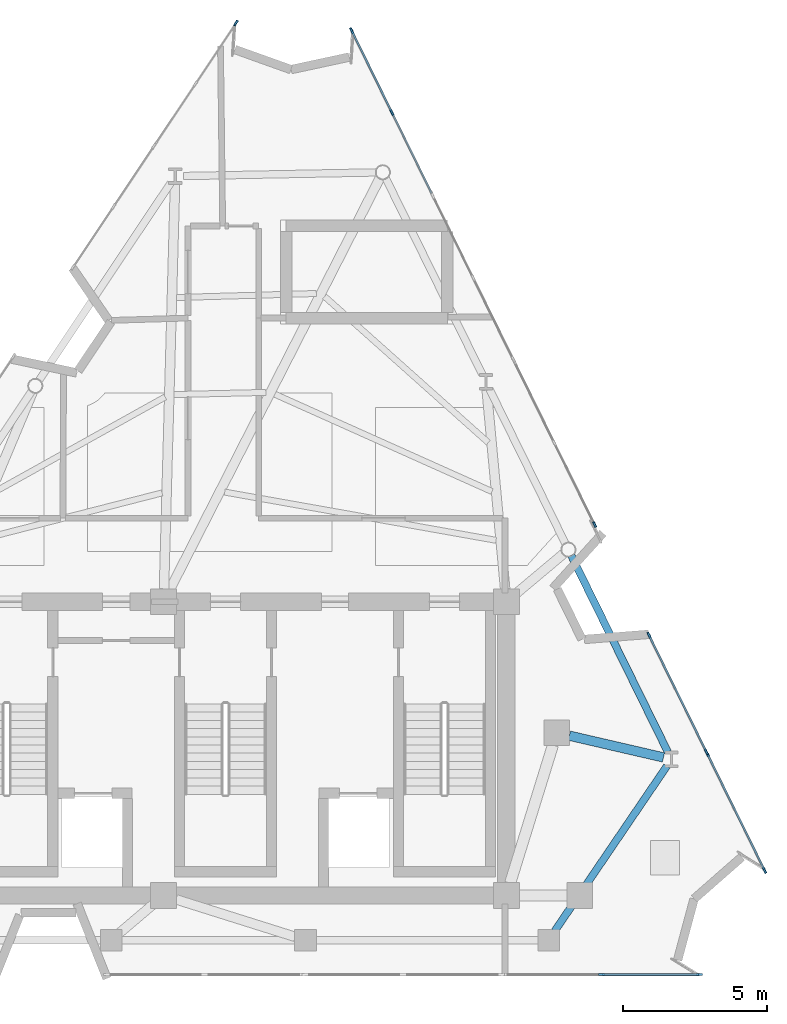
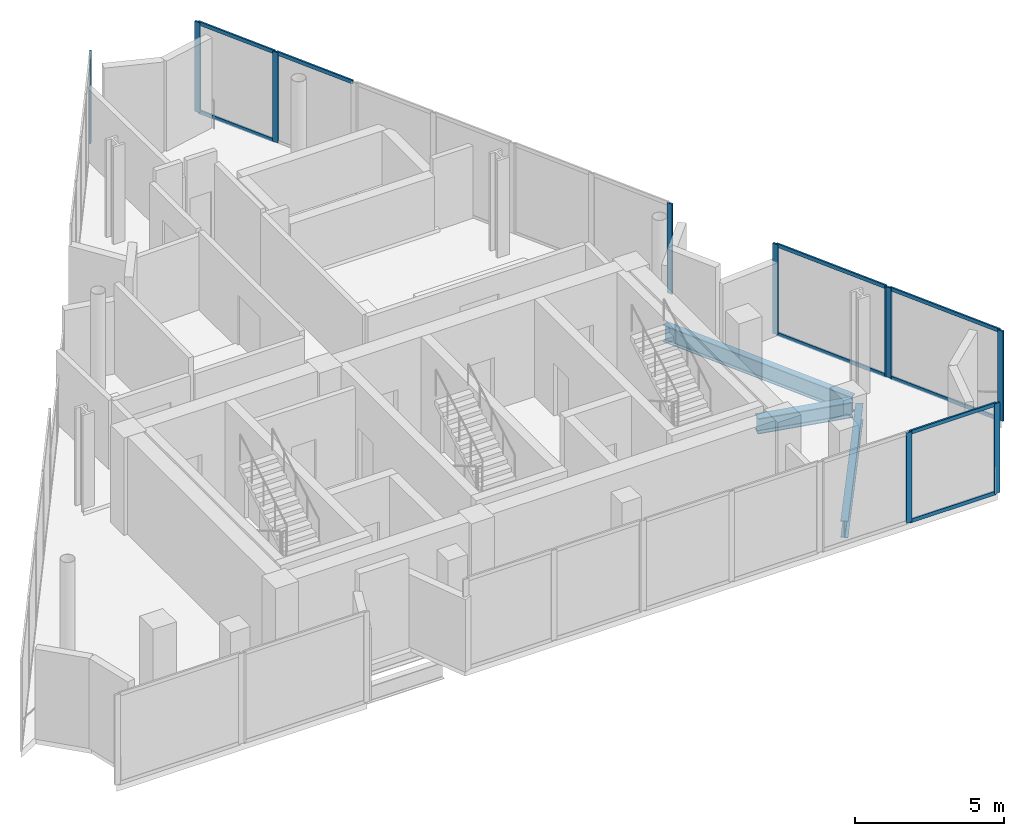
# One storey, part 4 of 9: 19 members, 3 beams, 6 elements without a shape of their own.
"""IFC4 building model written with IfcOpenShell, lengths in metres."""

import ifcopenshell
import ifcopenshell.guid

model = None  # the IFC model being written
_history = None  # IfcOwnerHistory: only IFC2X3 demands one
_inside = {}  # id of a spatial element -> (the spatial element, [elements in it])
_under = {}  # id of a project, library or spatial element -> (it, [spatial elements below it])
_declared = {}  # id of a project -> (the project, [libraries it declares])
_typed = {}  # id of a type object -> (the type object, [elements of that type])
_made_of = {}  # id of a material, layer set ... -> (it, [elements and type objects made of it])


def new_model(schema):
    """Start an empty IFC model of exactly this schema.

    Asked for "IFC4X3", IfcOpenShell would pick the latest addendum, in which some entities
    have other attributes; the version numbers below select the first issue.
    IFC2X3 requires an IfcOwnerHistory on every rooted entity: one is made here for all.
    """
    global model, _history
    if schema == "IFC4X3":
        model = ifcopenshell.file(schema_version=(4, 3, 0, 0))
    else:
        model = ifcopenshell.file(schema=schema)
    _inside.clear()
    _under.clear()
    _declared.clear()
    _typed.clear()
    _made_of.clear()
    _history = None
    if model.schema == "IFC2X3":
        org = make("IfcOrganization", Name="unknown")
        user = make(
            "IfcPersonAndOrganization",
            ThePerson=make("IfcPerson", FamilyName="unknown"),
            TheOrganization=org,
        )
        app = make(
            "IfcApplication",
            ApplicationDeveloper=org,
            Version="unknown",
            ApplicationFullName="unknown",
            ApplicationIdentifier="unknown",
        )
        _history = make(
            "IfcOwnerHistory",
            OwningUser=user,
            OwningApplication=app,
            ChangeAction="ADDED",
            CreationDate=0,
        )
    return model


def make(cls, **values):
    """One entity of the class cls with the attributes given. An attribute that is None is left unset."""
    return model.create_entity(
        cls, **{name: value for name, value in values.items() if value is not None}
    )


def rooted(cls, **values):
    """An entity with a GlobalId (a new one), such as an element, a storey or a relation."""
    return make(cls, GlobalId=ifcopenshell.guid.new(), OwnerHistory=_history, **values)


def si_unit(unit_type, name, prefix=None):
    """IfcSIUnit, for example si_unit("LENGTHUNIT", "METRE", prefix="MILLI")."""
    return make("IfcSIUnit", UnitType=unit_type, Prefix=prefix, Name=name)


def assignment(units):
    """IfcUnitAssignment: the units of a project."""
    return None if units is None else make("IfcUnitAssignment", Units=units)


def point(xyz):
    """IfcCartesianPoint."""
    return None if xyz is None else make("IfcCartesianPoint", Coordinates=xyz)


def direction(xyz):
    """IfcDirection."""
    return None if xyz is None else make("IfcDirection", DirectionRatios=xyz)


def frame(location, z_axis=None, x_axis=None):
    """IfcAxis2Placement3D, a coordinate frame: its origin and axes. An axis left out is left unset."""
    return make(
        "IfcAxis2Placement3D",
        Location=point(location),
        Axis=direction(z_axis),
        RefDirection=direction(x_axis),
    )


def frame_2d(location, x_axis=None):
    """IfcAxis2Placement2D, a coordinate frame in the plane: its origin and x axis."""
    return make(
        "IfcAxis2Placement2D", Location=point(location), RefDirection=direction(x_axis)
    )


def origin():
    """The frame at (0, 0, 0) with its axes left unset."""
    return frame((0.0, 0.0, 0.0))


def origin_2d():
    """The frame at (0, 0) in the plane with its x axis left unset."""
    return frame_2d((0.0, 0.0))


def place(relative_to, where):
    """IfcLocalPlacement: puts the frame where relative to a parent placement (None: the world)."""
    return make(
        "IfcLocalPlacement", PlacementRelTo=relative_to, RelativePlacement=where
    )


def context(
    kind, dimensions, precision=None, world=None, true_north=None, identifier=None
):
    """IfcGeometricRepresentationContext, for example the 3D "Model" context."""
    return make(
        "IfcGeometricRepresentationContext",
        ContextIdentifier=identifier,
        ContextType=kind,
        CoordinateSpaceDimension=dimensions,
        Precision=precision,
        WorldCoordinateSystem=world,
        TrueNorth=true_north,
    )


def subcontext(parent, identifier, kind, view, scale=None):
    """IfcGeometricRepresentationSubContext, for example "Body" below "Model"."""
    return make(
        "IfcGeometricRepresentationSubContext",
        ContextIdentifier=identifier,
        ContextType=kind,
        ParentContext=parent,
        TargetScale=scale,
        TargetView=view,
    )


def project(units=None, contexts=None):
    """IfcProject with its units and contexts."""
    return rooted(
        "IfcProject",
        Name="project",
        RepresentationContexts=contexts,
        UnitsInContext=assignment(units),
    )


def spatial(cls, under=None, at=None, **own):
    """A site, building, storey or space (cls), placed at a placement, below another one or the project."""
    s = rooted(cls, ObjectPlacement=at, **own)
    if under is not None:
        _under.setdefault(under.id(), (under, []))[1].append(s)
    return s


def profile(cls, at=None, kind="AREA", **sizes):
    """A parametric profile (cls). Its sizes go by their IFC names, for example OverallWidth=200.0."""
    return make(cls, ProfileType=kind, Position=at, **sizes)


def rectangle(**sizes):
    """IfcRectangleProfileDef."""
    return profile("IfcRectangleProfileDef", **sizes)


def i_section(**sizes):
    """IfcIShapeProfileDef."""
    return profile("IfcIShapeProfileDef", **sizes)


def extrude(swept, where, along, depth):
    """IfcExtrudedAreaSolid: the profile swept, set in the frame where, extruded along a direction by depth."""
    return make(
        "IfcExtrudedAreaSolid",
        SweptArea=swept,
        Position=where,
        ExtrudedDirection=direction(along),
        Depth=depth,
    )


def shape(context_of_items, identifier, shape_type, items):
    """IfcShapeRepresentation: the items that make up one representation, for example the "Body"."""
    return make(
        "IfcShapeRepresentation",
        ContextOfItems=context_of_items,
        RepresentationIdentifier=identifier,
        RepresentationType=shape_type,
        Items=items,
    )


def material(Name=None, Category=None):
    """IfcMaterial."""
    return make("IfcMaterial", Name=Name, Category=Category)


def layer(
    of_material, thickness, ventilated=None, Name=None, Category=None, Priority=None
):
    """IfcMaterialLayer: one layer of a wall or slab, of a material (None: an air gap)."""
    return make(
        "IfcMaterialLayer",
        Material=of_material,
        LayerThickness=thickness,
        IsVentilated=ventilated,
        Name=Name,
        Category=Category,
        Priority=Priority,
    )


def layer_set(layers, Name=None):
    """IfcMaterialLayerSet."""
    return make("IfcMaterialLayerSet", MaterialLayers=layers, LayerSetName=Name)


def material_profile(
    of_material, cross_section, Name=None, Category=None, Priority=None
):
    """IfcMaterialProfile: a cross section and its material."""
    return make(
        "IfcMaterialProfile",
        Name=Name,
        Material=of_material,
        Profile=cross_section,
        Priority=Priority,
        Category=Category,
    )


def profile_set(profiles, Name=None, composite=None):
    """IfcMaterialProfileSet."""
    return make(
        "IfcMaterialProfileSet",
        Name=Name,
        MaterialProfiles=profiles,
        CompositeProfile=composite,
    )


def made_of(thing, what):
    """Note that an element or type object is made of a material, layer set ...; save() writes the relation."""
    if what is not None:
        _made_of.setdefault(what.id(), (what, []))[1].append(thing)
    return thing


def type_object(cls, material=None, **own):
    """A type object (cls), such as IfcWallType, which elements share."""
    return made_of(rooted(cls, **own), material)


def element(
    cls,
    number,
    at=None,
    inside=None,
    cuts=None,
    type_object=None,
    material=None,
    context=None,
    identifier="Body",
    shape_type=None,
    held_by="IfcProductDefinitionShape",
    body=None,
    shapes=None,
    **own,
):
    """One element of the class cls, such as IfcWall. Its Tag is "e" and its number.

    at: its placement. inside: the storey or other place that contains it. cuts: it is an
    opening in that element (IfcRelVoidsElement). A single representation is given by context,
    identifier, shape_type and body (its items); several are given by shapes. held_by: the class
    of the entity that holds the representations. save() writes the other relations.
    """
    e = rooted(cls, Tag="e%d" % number, ObjectPlacement=at, **own)
    if body is not None:
        shapes = [shape(context, identifier, shape_type, body)]
    if shapes is not None:
        e.Representation = make(held_by, Representations=shapes)
    if inside is not None:
        _inside.setdefault(inside.id(), (inside, []))[1].append(e)
    if cuts is not None:
        rooted(
            "IfcRelVoidsElement", RelatingBuildingElement=cuts, RelatedOpeningElement=e
        )
    if type_object is not None:
        _typed.setdefault(type_object.id(), (type_object, []))[1].append(e)
    return made_of(e, material)


def aggregate(whole, parts):
    """IfcRelAggregates: a whole, such as a stair, and the parts it consists of."""
    return rooted("IfcRelAggregates", RelatingObject=whole, RelatedObjects=parts)


def save(model, path):
    """Write the relations noted so far, then the file.

    IfcRelAggregates (storeys below a building ...), IfcRelContainedInSpatialStructure (elements
    in a storey), IfcRelDefinesByType, IfcRelAssociatesMaterial and IfcRelDeclares: one each for
    every whole, place, type object, material and project.
    """
    for whole, parts in _under.values():
        aggregate(whole, parts)
    for where, things in _inside.values():
        rooted(
            "IfcRelContainedInSpatialStructure",
            RelatedElements=things,
            RelatingStructure=where,
        )
    for kind, things in _typed.values():
        rooted("IfcRelDefinesByType", RelatedObjects=things, RelatingType=kind)
    for what, things in _made_of.values():
        rooted("IfcRelAssociatesMaterial", RelatedObjects=things, RelatingMaterial=what)
    for by, libraries in _declared.values():
        rooted("IfcRelDeclares", RelatingContext=by, RelatedDefinitions=libraries)
    model.write(path)


model = new_model("IFC4")

# Units and contexts
model_context = context("Model", 3, precision=1e-05, world=origin(), true_north=direction((0.0, 1.0)))
body_context = subcontext(model_context, "Body", "Model", "MODEL_VIEW")
ifc_project = project(units=[si_unit("LENGTHUNIT", "METRE"), si_unit("AREAUNIT", "SQUARE_METRE"), si_unit("VOLUMEUNIT", "CUBIC_METRE"), si_unit("PLANEANGLEUNIT", "RADIAN"), si_unit("MASSUNIT", "GRAM", prefix="KILO")], contexts=[model_context])

# Site, building, storey
site_placement = place(None, origin())
site = spatial("IfcSite", under=ifc_project, at=site_placement, CompositionType="ELEMENT")
building_placement = place(site_placement, origin())
building = spatial("IfcBuilding", under=site, at=building_placement, Name="Almagre Mirador Tower", CompositionType="ELEMENT")
storey_placement = place(building_placement, frame((0.0, 0.0, 310.5)))
storey = spatial("IfcBuildingStorey", under=building, at=storey_placement, Name="L80", CompositionType="ELEMENT", Elevation=310.5)

# Beams
ifc_material_1 = material(Name="Steel ASTM A992 Grade 50", Category="steel")
ifc_material_profile_1 = material_profile(ifc_material_1, i_section(OverallWidth=0.256103515625, OverallDepth=0.693115234375, WebThickness=0.014404296875, FlangeThickness=0.023681640625, FilletRadius=0.02197265625, at=origin_2d()), Name="W27X114")
ifc_profile_set_1 = profile_set([ifc_material_profile_1], Name="Steel ASTM A992 Grade 50")
beam_type_1 = type_object("IfcBeamType", Name="BM-SPN-W27X114", PredefinedType="SPANDREL", material=ifc_profile_set_1)
beam_1_placement = place(storey_placement, frame((48.726806640625, 3.31005859375, -0.646484375), z_axis=(0.562316764755, 0.826921916553, 0.0), x_axis=(-0.826921916553, 0.562316764755, 0.0)))
element("IfcBeam", 1, at=beam_1_placement, inside=storey, type_object=beam_type_1, Name="L80 perimeter spandrel beam PC04-PC05", PredefinedType="SPANDREL", context=body_context, shape_type="SweptSolid", body=[
    extrude(i_section(OverallWidth=0.256103515625, OverallDepth=0.693115234375, WebThickness=0.014404296875, FlangeThickness=0.023681640625, FilletRadius=0.02197265625, at=origin_2d()), origin(), (0.0, 0.0, 1.0), 6.931884765625),
])
beam_2_placement = place(storey_placement, frame((52.6591796875, 9.53369140625, -0.646484375), z_axis=(-0.441286188915, 0.897366424306, 0.0), x_axis=(-0.897366424306, -0.441286188915, 0.0)))
element("IfcBeam", 2, at=beam_2_placement, inside=storey, type_object=beam_type_1, Name="L80 perimeter spandrel beam PC05-PC06", PredefinedType="SPANDREL", context=body_context, shape_type="SweptSolid", body=[
    extrude(i_section(OverallWidth=0.256103515625, OverallDepth=0.693115234375, WebThickness=0.014404296875, FlangeThickness=0.023681640625, FilletRadius=0.02197265625, at=origin_2d()), origin(), (0.0, 0.0, 1.0), 7.607666015625),
])
ifc_material_2 = material(Name="Steel ASTM A992 Grade 50", Category="steel")
ifc_material_profile_2 = material_profile(ifc_material_2, i_section(OverallWidth=0.330078125, OverallDepth=0.635009765625, WebThickness=0.017822265625, FlangeThickness=0.031005859375, FilletRadius=0.02001953125, at=origin_2d()), Name="W24X162")
ifc_profile_set_2 = profile_set([ifc_material_profile_2], Name="Steel ASTM A992 Grade 50")
beam_type_2 = type_object("IfcBeamType", Name="BM-STL-W24X162", PredefinedType="BEAM", material=ifc_profile_set_2)
beam_3_placement = place(storey_placement, frame((52.50732421875, 9.34228515625, -0.617431640625), z_axis=(-0.974263503656, 0.225412123549, 0.0), x_axis=(-0.225412123549, -0.974263503656, 0.0)))
element("IfcBeam", 3, at=beam_3_placement, inside=storey, type_object=beam_type_2, Name="L80 radial floor girder PC05-MC3", PredefinedType="BEAM", context=body_context, shape_type="SweptSolid", body=[
    extrude(i_section(OverallWidth=0.330078125, OverallDepth=0.635009765625, WebThickness=0.017822265625, FlangeThickness=0.031005859375, FilletRadius=0.02001953125, at=origin_2d()), origin(), (0.0, 0.0, 1.0), 3.35546875),
])

# Curtain wall, member
ifc_material_3 = material(Name="Black anodized aluminium", Category="aluminium")
ifc_layer = layer(ifc_material_3, 0.2099609375)
ifc_layer_set = layer_set([ifc_layer], Name="Black anodized aluminium")
curtain_wall_type = type_object("IfcCurtainWallType", Name="CW-CRN-SYS", PredefinedType="NOTDEFINED", material=ifc_layer_set)
curtain_wall_1_placement = place(storey_placement, origin())
curtain_wall_1 = element("IfcCurtainWall", 4, at=curtain_wall_1_placement, inside=storey, type_object=curtain_wall_type, Name="L80 curtain wall run 05", PredefinedType="NOTDEFINED")
ifc_material_4 = material(Name="Black anodized aluminium", Category="aluminium")
ifc_material_profile_3 = material_profile(ifc_material_4, rectangle(XDim=0.070068359375, YDim=0.2099609375, at=origin_2d()), Name="CWM70X210")
ifc_profile_set_3 = profile_set([ifc_material_profile_3], Name="Black anodized aluminium")
member_type_1 = type_object("IfcMemberType", Name="MBR-CWM70X210", PredefinedType="MULLION", material=ifc_profile_set_3)
member_1_placement = place(storey_placement, frame((37.659423828125, 34.84375, 0.0), z_axis=(0.0, 0.0, 1.0), x_axis=(-0.831672217709, 0.555266892846, 0.0)))
member_1 = element("IfcMember", 5, at=member_1_placement, type_object=member_type_1, Name="CW-6 mullion 3", PredefinedType="MULLION", context=body_context, shape_type="SweptSolid", body=[
    extrude(rectangle(XDim=0.070068359375, YDim=0.2099609375, at=origin_2d()), origin(), (0.0, 0.0, 1.0), 3.699951171875),
])
aggregate(curtain_wall_1, [member_1])

# Curtain wall, members
curtain_wall_2_placement = place(storey_placement, origin())
curtain_wall_2 = element("IfcCurtainWall", 6, at=curtain_wall_2_placement, inside=storey, type_object=curtain_wall_type, Name="L80 curtain wall run 06", PredefinedType="NOTDEFINED")
member_2_placement = place(storey_placement, frame((41.6806640625, 34.579345703125, 0.0), z_axis=(0.0, 0.0, 1.0), x_axis=(0.897357785219, 0.441303756281, 0.0)))
member_2 = element("IfcMember", 7, at=member_2_placement, type_object=member_type_1, Name="CW-6 mullion 1", PredefinedType="MULLION", context=body_context, shape_type="SweptSolid", body=[
    extrude(rectangle(XDim=0.070068359375, YDim=0.2099609375, at=origin_2d()), origin(), (0.0, 0.0, 1.0), 3.699951171875),
])
member_3_placement = place(storey_placement, frame((43.07568359375, 31.742431640625, 0.0), z_axis=(0.0, 0.0, 1.0), x_axis=(0.897357785219, 0.441303756281, 0.0)))
member_3 = element("IfcMember", 8, at=member_3_placement, type_object=member_type_1, Name="CW-6 mullion 2", PredefinedType="MULLION", context=body_context, shape_type="SweptSolid", body=[
    extrude(rectangle(XDim=0.070068359375, YDim=0.2099609375, at=origin_2d()), origin(), (0.0, 0.0, 1.0), 3.699951171875),
])

# Curtain wall, member
curtain_wall_3_placement = place(storey_placement, origin())
curtain_wall_3 = element("IfcCurtainWall", 9, at=curtain_wall_3_placement, inside=storey, type_object=curtain_wall_type, Name="L80 curtain wall run 08", PredefinedType="NOTDEFINED")
member_4_placement = place(storey_placement, frame((50.113525390625, 17.431396484375, 0.0), z_axis=(0.0, 0.0, 1.0), x_axis=(0.897357785219, 0.441303756281, 0.0)))
member_4 = element("IfcMember", 10, at=member_4_placement, type_object=member_type_1, Name="CW-6 mullion 3", PredefinedType="MULLION", context=body_context, shape_type="SweptSolid", body=[
    extrude(rectangle(XDim=0.070068359375, YDim=0.2099609375, at=origin_2d()), origin(), (0.0, 0.0, 1.0), 3.699951171875),
])
aggregate(curtain_wall_3, [member_4])

# Curtain wall, members
curtain_wall_4_placement = place(storey_placement, origin())
curtain_wall_4 = element("IfcCurtainWall", 11, at=curtain_wall_4_placement, inside=storey, type_object=curtain_wall_type, Name="L80 curtain wall run 09", PredefinedType="NOTDEFINED")
member_5_placement = place(storey_placement, frame((52.003662109375, 13.58837890625, 0.0), z_axis=(0.0, 0.0, 1.0), x_axis=(0.897394697223, 0.441228690585, 0.0)))
member_5 = element("IfcMember", 12, at=member_5_placement, type_object=member_type_1, Name="CW-6 mullion 1", PredefinedType="MULLION", context=body_context, shape_type="SweptSolid", body=[
    extrude(rectangle(XDim=0.070068359375, YDim=0.2099609375, at=origin_2d()), origin(), (0.0, 0.0, 1.0), 3.699951171875),
])
member_6_placement = place(storey_placement, frame((53.99609375, 9.535888671875, 0.0), z_axis=(0.0, 0.0, 1.0), x_axis=(0.897394697223, 0.441228690585, 0.0)))
member_6 = element("IfcMember", 13, at=member_6_placement, type_object=member_type_1, Name="CW-6 mullion 2", PredefinedType="MULLION", context=body_context, shape_type="SweptSolid", body=[
    extrude(rectangle(XDim=0.070068359375, YDim=0.2099609375, at=origin_2d()), origin(), (0.0, 0.0, 1.0), 3.699951171875),
])

curtain_wall_5_placement = place(storey_placement, origin())
curtain_wall_5 = element("IfcCurtainWall", 14, at=curtain_wall_5_placement, inside=storey, type_object=curtain_wall_type, Name="L80 curtain wall run 10", PredefinedType="NOTDEFINED")
member_7_placement = place(storey_placement, frame((54.02685546875, 9.47314453125, 0.0), z_axis=(0.0, 0.0, 1.0), x_axis=(0.897394697223, 0.441228690585, 0.0)))
member_7 = element("IfcMember", 15, at=member_7_placement, type_object=member_type_1, Name="CW-6 mullion 1", PredefinedType="MULLION", context=body_context, shape_type="SweptSolid", body=[
    extrude(rectangle(XDim=0.070068359375, YDim=0.2099609375, at=origin_2d()), origin(), (0.0, 0.0, 1.0), 3.699951171875),
])
member_8_placement = place(storey_placement, frame((56.01953125, 5.420654296875, 0.0), z_axis=(0.0, 0.0, 1.0), x_axis=(0.897394697223, 0.441228690585, 0.0)))
member_8 = element("IfcMember", 16, at=member_8_placement, type_object=member_type_1, Name="CW-6 mullion 2", PredefinedType="MULLION", context=body_context, shape_type="SweptSolid", body=[
    extrude(rectangle(XDim=0.070068359375, YDim=0.2099609375, at=origin_2d()), origin(), (0.0, 0.0, 1.0), 3.699951171875),
])

curtain_wall_6_placement = place(storey_placement, origin())
curtain_wall_6 = element("IfcCurtainWall", 17, at=curtain_wall_6_placement, inside=storey, type_object=curtain_wall_type, Name="L80 curtain wall run 11", PredefinedType="NOTDEFINED")
member_9_placement = place(storey_placement, frame((53.764892578125, 1.800048828125, 0.0), z_axis=(0.0, 0.0, 1.0), x_axis=(0.0, -1.0, 0.0)))
member_9 = element("IfcMember", 18, at=member_9_placement, type_object=member_type_1, Name="CW-6 mullion 1", PredefinedType="MULLION", context=body_context, shape_type="SweptSolid", body=[
    extrude(rectangle(XDim=0.070068359375, YDim=0.2099609375, at=origin_2d()), origin(), (0.0, 0.0, 1.0), 3.699951171875),
])
member_10_placement = place(storey_placement, frame((50.3544921875, 1.800048828125, 0.0), z_axis=(0.0, 0.0, 1.0), x_axis=(0.0, -1.0, 0.0)))
member_10 = element("IfcMember", 19, at=member_10_placement, type_object=member_type_1, Name="CW-6 mullion 2", PredefinedType="MULLION", context=body_context, shape_type="SweptSolid", body=[
    extrude(rectangle(XDim=0.070068359375, YDim=0.2099609375, at=origin_2d()), origin(), (0.0, 0.0, 1.0), 3.699951171875),
])

# Member
ifc_material_5 = material(Name="Black anodized aluminium", Category="aluminium")
ifc_material_profile_4 = material_profile(ifc_material_5, rectangle(XDim=0.06494140625, YDim=0.14990234375, at=origin_2d()), Name="CWT65X150")
ifc_profile_set_4 = profile_set([ifc_material_profile_4], Name="Black anodized aluminium")
member_type_2 = type_object("IfcMemberType", Name="MBR-CWT65X150", PredefinedType="USERDEFINED", material=ifc_profile_set_4)
member_11_placement = place(storey_placement, frame((41.696044921875, 34.548095703125, 0.032470703125), z_axis=(0.441265449491, -0.897376622765, 0.0), x_axis=(0.897376622765, 0.441265449491, 0.0)))
member_11 = element("IfcMember", 20, at=member_11_placement, type_object=member_type_2, Name="CW-6 transom 1.1", ObjectType="TRANSOM", PredefinedType="USERDEFINED", context=body_context, shape_type="SweptSolid", body=[
    extrude(rectangle(XDim=0.06494140625, YDim=0.14990234375, at=origin_2d()), origin(), (0.0, 0.0, 1.0), 3.091796875),
])

member_12_placement = place(storey_placement, frame((41.696044921875, 34.548095703125, 3.66748046875), z_axis=(0.441265449491, -0.897376622765, 0.0), x_axis=(0.897376622765, 0.441265449491, 0.0)))
member_12 = element("IfcMember", 21, at=member_12_placement, type_object=member_type_2, Name="CW-6 transom 1.2", ObjectType="TRANSOM", PredefinedType="USERDEFINED", context=body_context, shape_type="SweptSolid", body=[
    extrude(rectangle(XDim=0.06494140625, YDim=0.14990234375, at=origin_2d()), origin(), (0.0, 0.0, 1.0), 3.091796875),
])

member_13_placement = place(storey_placement, frame((43.09130859375, 31.7109375, 3.66748046875), z_axis=(0.441296720742, -0.897361245131, 0.0), x_axis=(0.897361245131, 0.441296720742, 0.0)))
member_13 = element("IfcMember", 22, at=member_13_placement, type_object=member_type_2, Name="CW-6 transom 2.2", ObjectType="TRANSOM", PredefinedType="USERDEFINED", context=body_context, shape_type="SweptSolid", body=[
    extrude(rectangle(XDim=0.06494140625, YDim=0.14990234375, at=origin_2d()), origin(), (0.0, 0.0, 1.0), 3.091552734375),
])

aggregate(curtain_wall_2, [member_2, member_3, member_11, member_12, member_13])

member_14_placement = place(storey_placement, frame((52.01904296875, 13.556884765625, 0.032470703125), z_axis=(0.441250786231, -0.897383832956, 0.0), x_axis=(0.897383832956, 0.441250786231, 0.0)))
member_14 = element("IfcMember", 23, at=member_14_placement, type_object=member_type_2, Name="CW-6 transom 1.1", ObjectType="TRANSOM", PredefinedType="USERDEFINED", context=body_context, shape_type="SweptSolid", body=[
    extrude(rectangle(XDim=0.06494140625, YDim=0.14990234375, at=origin_2d()), origin(), (0.0, 0.0, 1.0), 4.44580078125),
])

member_15_placement = place(storey_placement, frame((52.01904296875, 13.556884765625, 3.66748046875), z_axis=(0.441250786231, -0.897383832956, 0.0), x_axis=(0.897383832956, 0.441250786231, 0.0)))
member_15 = element("IfcMember", 24, at=member_15_placement, type_object=member_type_2, Name="CW-6 transom 1.2", ObjectType="TRANSOM", PredefinedType="USERDEFINED", context=body_context, shape_type="SweptSolid", body=[
    extrude(rectangle(XDim=0.06494140625, YDim=0.14990234375, at=origin_2d()), origin(), (0.0, 0.0, 1.0), 4.44580078125),
])

aggregate(curtain_wall_4, [member_5, member_6, member_14, member_15])

member_16_placement = place(storey_placement, frame((54.04248046875, 9.441650390625, 0.032470703125), z_axis=(0.441184817691, -0.897416267202, 0.0), x_axis=(0.897416267202, 0.441184817691, 0.0)))
member_16 = element("IfcMember", 25, at=member_16_placement, type_object=member_type_2, Name="CW-6 transom 1.1", ObjectType="TRANSOM", PredefinedType="USERDEFINED", context=body_context, shape_type="SweptSolid", body=[
    extrude(rectangle(XDim=0.06494140625, YDim=0.14990234375, at=origin_2d()), origin(), (0.0, 0.0, 1.0), 4.44580078125),
])

member_17_placement = place(storey_placement, frame((54.04248046875, 9.441650390625, 3.66748046875), z_axis=(0.441184817691, -0.897416267202, 0.0), x_axis=(0.897416267202, 0.441184817691, 0.0)))
member_17 = element("IfcMember", 26, at=member_17_placement, type_object=member_type_2, Name="CW-6 transom 1.2", ObjectType="TRANSOM", PredefinedType="USERDEFINED", context=body_context, shape_type="SweptSolid", body=[
    extrude(rectangle(XDim=0.06494140625, YDim=0.14990234375, at=origin_2d()), origin(), (0.0, 0.0, 1.0), 4.44580078125),
])

aggregate(curtain_wall_5, [member_7, member_8, member_16, member_17])

member_18_placement = place(storey_placement, frame((53.729736328125, 1.800048828125, 0.032470703125), z_axis=(-1.0, 0.0, 0.0), x_axis=(0.0, -1.0, 0.0)))
member_18 = element("IfcMember", 27, at=member_18_placement, type_object=member_type_2, Name="CW-6 transom 1.1", ObjectType="TRANSOM", PredefinedType="USERDEFINED", context=body_context, shape_type="SweptSolid", body=[
    extrude(rectangle(XDim=0.06494140625, YDim=0.14990234375, at=origin_2d()), origin(), (0.0, 0.0, 1.0), 3.340087890625),
])

member_19_placement = place(storey_placement, frame((53.729736328125, 1.800048828125, 3.66748046875), z_axis=(-1.0, 0.0, 0.0), x_axis=(0.0, -1.0, 0.0)))
member_19 = element("IfcMember", 28, at=member_19_placement, type_object=member_type_2, Name="CW-6 transom 1.2", ObjectType="TRANSOM", PredefinedType="USERDEFINED", context=body_context, shape_type="SweptSolid", body=[
    extrude(rectangle(XDim=0.06494140625, YDim=0.14990234375, at=origin_2d()), origin(), (0.0, 0.0, 1.0), 3.340087890625),
])

aggregate(curtain_wall_6, [member_9, member_10, member_18, member_19])

save(model, "model.ifc")
